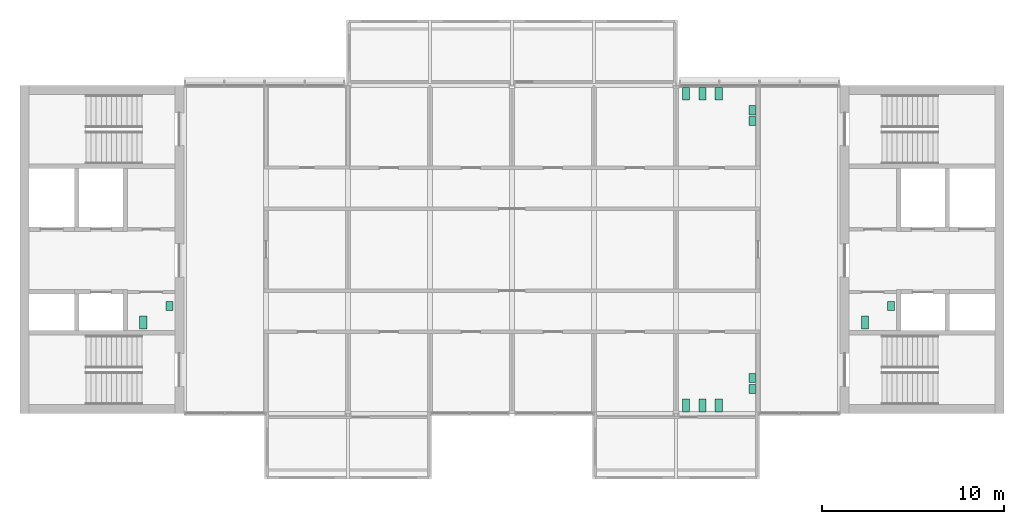
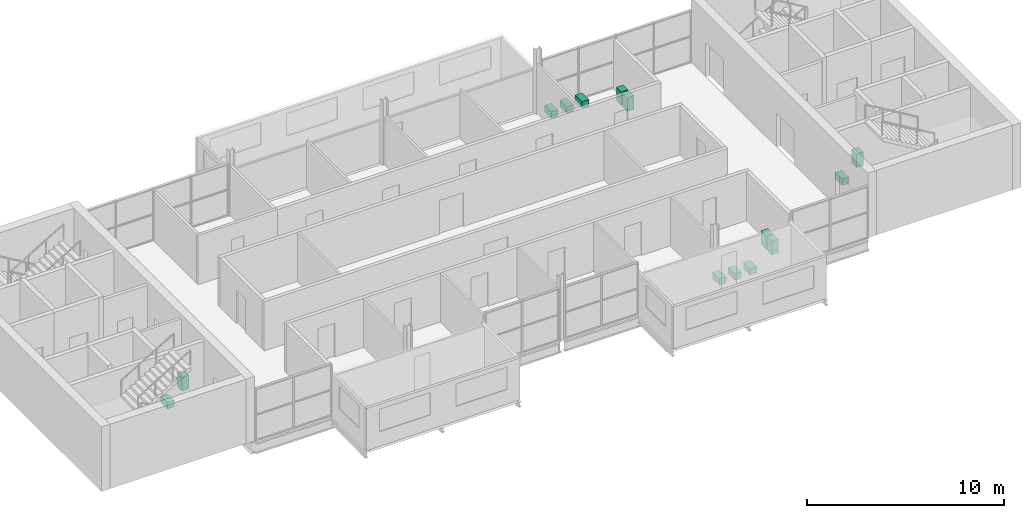
# One storey, part 10 of 10: 14 sanitary terminals.
"""IFC4 building model written with IfcOpenShell, lengths in metres."""

from ifc_helpers import new_model, si_unit, direction, frame, origin, origin_2d, place, context, subcontext, project, spatial, rectangle, extrude, element, save


model = new_model("IFC4")

# Units and contexts
model_context = context("Model", 3, precision=1e-05, world=origin(), true_north=direction((0.0, 1.0)))
body_context = subcontext(model_context, "Body", "Model", "MODEL_VIEW")
ifc_project = project(units=[si_unit("LENGTHUNIT", "METRE"), si_unit("AREAUNIT", "SQUARE_METRE"), si_unit("VOLUMEUNIT", "CUBIC_METRE"), si_unit("PLANEANGLEUNIT", "RADIAN"), si_unit("MASSUNIT", "GRAM", prefix="KILO")], contexts=[model_context])

# Site, building, storey
site_placement = place(None, origin())
site = spatial("IfcSite", under=ifc_project, at=site_placement, CompositionType="ELEMENT")
building_placement = place(site_placement, origin())
building = spatial("IfcBuilding", under=site, at=building_placement, Name="Corbel Yard City Hall", CompositionType="ELEMENT")
storey_placement = place(building_placement, frame((0.0, 0.0, 59.199951171875)))
storey = spatial("IfcBuildingStorey", under=building, at=storey_placement, Name="L14", CompositionType="ELEMENT", Elevation=59.199951171875)

# Sanitary terminals
sanitary_terminal_1_placement = place(storey_placement, frame((46.36669921875, 104.0, 0.0), z_axis=(0.0, 0.0, 1.0), x_axis=(1.0, 0.0, 0.0)))
element("IfcSanitaryTerminal", 1, at=sanitary_terminal_1_placement, inside=storey, Name="Water closet", PredefinedType="TOILETPAN", context=body_context, shape_type="SweptSolid", body=[
    extrude(rectangle(XDim=0.39990234375, YDim=0.699951171875, at=origin_2d()), origin(), (0.0, 0.0, 1.0), 0.39990234375),
])
sanitary_terminal_2_placement = place(storey_placement, frame((47.800048828125, 104.89990234375, 0.0), z_axis=(0.0, 0.0, 1.0), x_axis=(1.0, 0.0, 0.0)))
element("IfcSanitaryTerminal", 2, at=sanitary_terminal_2_placement, inside=storey, Name="Wash basin", PredefinedType="WASHHANDBASIN", context=body_context, shape_type="SweptSolid", body=[
    extrude(rectangle(XDim=0.39990234375, YDim=0.5, at=origin_2d()), origin(), (0.0, 0.0, 1.0), 0.85009765625),
])
sanitary_terminal_3_placement = place(storey_placement, frame((6.7666015625, 104.0, 0.0), z_axis=(0.0, 0.0, 1.0), x_axis=(1.0, 0.0, 0.0)))
element("IfcSanitaryTerminal", 3, at=sanitary_terminal_3_placement, inside=storey, Name="Water closet", PredefinedType="TOILETPAN", context=body_context, shape_type="SweptSolid", body=[
    extrude(rectangle(XDim=0.39990234375, YDim=0.699951171875, at=origin_2d()), origin(), (0.0, 0.0, 1.0), 0.39990234375),
])
sanitary_terminal_4_placement = place(storey_placement, frame((8.199951171875, 104.89990234375, 0.0), z_axis=(0.0, 0.0, 1.0), x_axis=(1.0, 0.0, 0.0)))
element("IfcSanitaryTerminal", 4, at=sanitary_terminal_4_placement, inside=storey, Name="Wash basin", PredefinedType="WASHHANDBASIN", context=body_context, shape_type="SweptSolid", body=[
    extrude(rectangle(XDim=0.39990234375, YDim=0.5, at=origin_2d()), origin(), (0.0, 0.0, 1.0), 0.85009765625),
])
for number, where, z_axis, x_axis, name in (
    (5, (36.550048828125, 99.449951171875, 0.0), (0.0, 0.0, 1.0), (1.0, 0.0, 0.0), "Water closet"),
    (6, (37.449951171875, 99.449951171875, 0.0), (0.0, 0.0, 1.0), (1.0, 0.0, 0.0), "Water closet"),
    (7, (38.35009765625, 99.449951171875, 0.0), (0.0, 0.0, 1.0), (1.0, 0.0, 0.0), "Water closet"),
):
    element("IfcSanitaryTerminal", number, at=place(storey_placement, frame(where, z_axis=z_axis, x_axis=x_axis)), inside=storey, Name=name, PredefinedType="TOILETPAN", context=body_context, shape_type="SweptSolid", body=[
        extrude(rectangle(XDim=0.39990234375, YDim=0.699951171875, at=origin_2d()), origin(), (0.0, 0.0, 1.0), 0.39990234375),
    ])
for number, where, z_axis, x_axis, name in (
    (8, (40.199951171875, 100.35009765625, 0.0), (0.0, 0.0, 1.0), (1.0, 0.0, 0.0), "Wash basin"),
    (9, (40.199951171875, 100.949951171875, 0.0), (0.0, 0.0, 1.0), (1.0, 0.0, 0.0), "Wash basin"),
):
    element("IfcSanitaryTerminal", number, at=place(storey_placement, frame(where, z_axis=z_axis, x_axis=x_axis)), inside=storey, Name=name, PredefinedType="WASHHANDBASIN", context=body_context, shape_type="SweptSolid", body=[
        extrude(rectangle(XDim=0.39990234375, YDim=0.5, at=origin_2d()), origin(), (0.0, 0.0, 1.0), 0.85009765625),
    ])
for number, where, z_axis, x_axis, name in (
    (10, (36.550048828125, 116.550048828125, 0.0), (0.0, 0.0, 1.0), (1.0, 0.0, 0.0), "Water closet"),
    (11, (37.449951171875, 116.550048828125, 0.0), (0.0, 0.0, 1.0), (1.0, 0.0, 0.0), "Water closet"),
    (12, (38.35009765625, 116.550048828125, 0.0), (0.0, 0.0, 1.0), (1.0, 0.0, 0.0), "Water closet"),
):
    element("IfcSanitaryTerminal", number, at=place(storey_placement, frame(where, z_axis=z_axis, x_axis=x_axis)), inside=storey, Name=name, PredefinedType="TOILETPAN", context=body_context, shape_type="SweptSolid", body=[
        extrude(rectangle(XDim=0.39990234375, YDim=0.699951171875, at=origin_2d()), origin(), (0.0, 0.0, 1.0), 0.39990234375),
    ])
for number, where, z_axis, x_axis, name in (
    (13, (40.199951171875, 115.64990234375, 0.0), (0.0, 0.0, 1.0), (1.0, 0.0, 0.0), "Wash basin"),
    (14, (40.199951171875, 115.050048828125, 0.0), (0.0, 0.0, 1.0), (1.0, 0.0, 0.0), "Wash basin"),
):
    element("IfcSanitaryTerminal", number, at=place(storey_placement, frame(where, z_axis=z_axis, x_axis=x_axis)), inside=storey, Name=name, PredefinedType="WASHHANDBASIN", context=body_context, shape_type="SweptSolid", body=[
        extrude(rectangle(XDim=0.39990234375, YDim=0.5, at=origin_2d()), origin(), (0.0, 0.0, 1.0), 0.85009765625),
    ])

save(model, "model.ifc")
